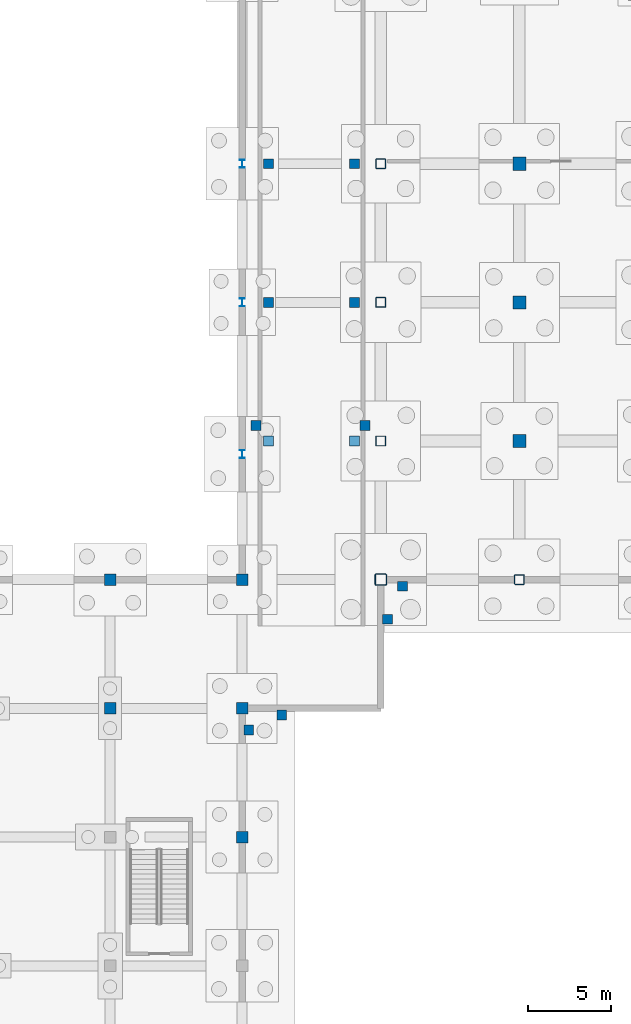
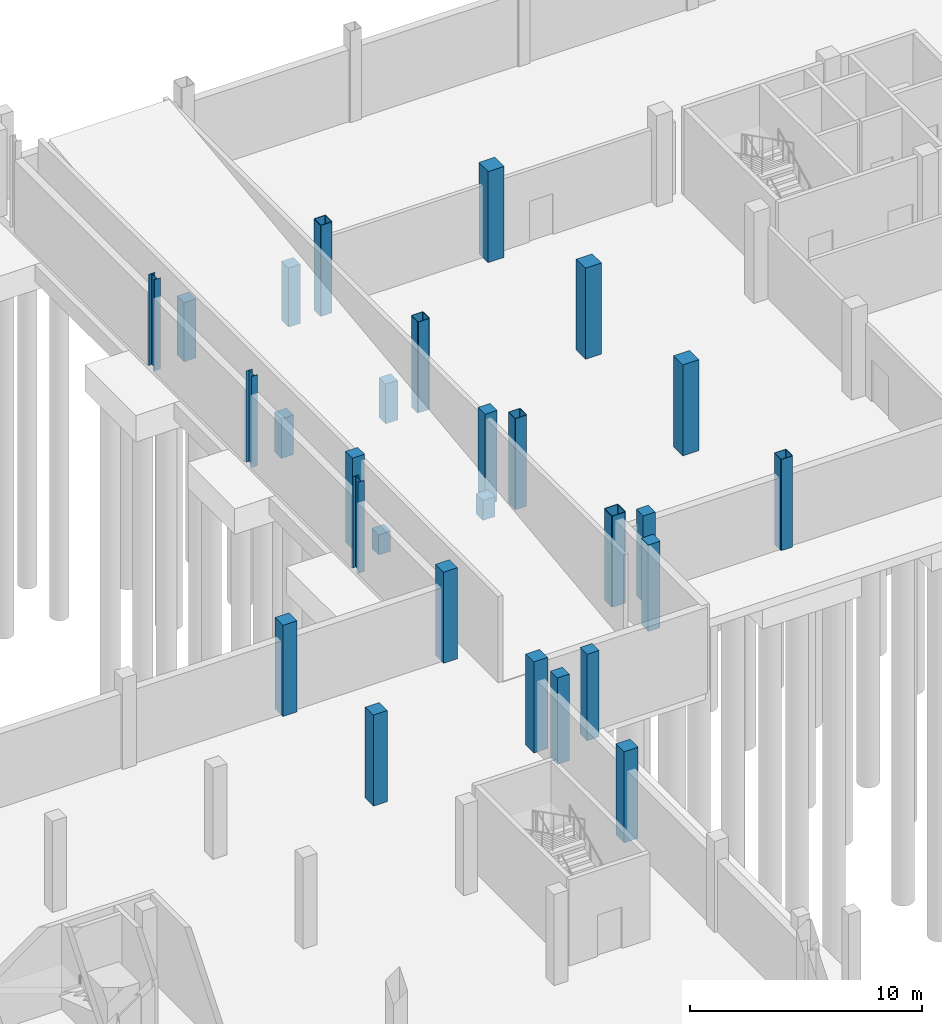
# One storey, part 26 of 44: 28 columns.
"""IFC4 building model written with IfcOpenShell, lengths in metres."""

from ifc_helpers import new_model, si_unit, direction, frame, origin, origin_2d, place, context, subcontext, project, spatial, rectangle, hollow_rectangle, i_section, extrude, material, material_profile, profile_set, type_object, element, save


model = new_model("IFC4")

# Units and contexts
model_context = context("Model", 3, precision=1e-05, world=origin(), true_north=direction((0.0, 1.0)))
body_context = subcontext(model_context, "Body", "Model", "MODEL_VIEW")
ifc_project = project(units=[si_unit("LENGTHUNIT", "METRE"), si_unit("AREAUNIT", "SQUARE_METRE"), si_unit("VOLUMEUNIT", "CUBIC_METRE"), si_unit("PLANEANGLEUNIT", "RADIAN"), si_unit("MASSUNIT", "GRAM", prefix="KILO")], contexts=[model_context])

# Site, building, storey
site_placement = place(None, origin())
site = spatial("IfcSite", under=ifc_project, at=site_placement, CompositionType="ELEMENT")
building_placement = place(site_placement, origin())
building = spatial("IfcBuilding", under=site, at=building_placement, Name="Yukiwa Park Conservatory and Herbarium", CompositionType="ELEMENT")
storey_placement = place(building_placement, frame((0.0, 0.0, -4.800048828125)))
storey = spatial("IfcBuildingStorey", under=building, at=storey_placement, Name="B1", CompositionType="ELEMENT", Elevation=-4.800048828125)

# Columns
ifc_material_1 = material(Name="Concrete C40", Category="concrete")
ifc_material_profile_1 = material_profile(ifc_material_1, rectangle(XDim=0.60009765625, YDim=0.60009765625, at=origin_2d()), Name="RC 600x600")
ifc_profile_set_1 = profile_set([ifc_material_profile_1], Name="Concrete C40")
column_type_1 = type_object("IfcColumnType", Name="COL-B1-RC600", PredefinedType="COLUMN", material=ifc_profile_set_1)
for number, where, z_axis, x_axis, name in (
    (1, (108.85009765625, 87.35009765625, 0.0), (0.0, 0.0, 1.0), (1.0, 0.0, 0.0), "Basement service ramp south portal pier 3"),
    (2, (115.449951171875, 87.35009765625, 0.0), (0.0, 0.0, 1.0), (1.0, 0.0, 0.0), "Basement service ramp south portal pier 4"),
):
    element("IfcColumn", number, at=place(storey_placement, frame(where, z_axis=z_axis, x_axis=x_axis)), inside=storey, type_object=column_type_1, Name=name, PredefinedType="COLUMN", context=body_context, shape_type="SweptSolid", body=[
        extrude(rectangle(XDim=0.60009765625, YDim=0.60009765625, at=origin_2d()), origin(), (0.0, 0.0, 1.0), 4.800048828125),
    ])
for number, where, z_axis, x_axis, name in (
    (3, (110.39990234375, 69.800048828125, 0.0), (0.0, 0.0, 1.0), (1.0, 0.0, 0.0), "Exterior frost apron pier 35"),
    (4, (108.39990234375, 68.89599609375, 0.0), (0.0, 0.0, 1.0), (1.0, 0.0, 0.0), "Exterior frost apron pier 36"),
    (5, (116.800048828125, 75.60009765625, 0.0), (0.0, 0.0, 1.0), (1.0, 0.0, 0.0), "Exterior frost apron pier 37"),
    (6, (117.70703125, 77.60009765625, 0.0), (0.0, 0.0, 1.0), (1.0, 0.0, 0.0), "Exterior frost apron pier 40"),
):
    element("IfcColumn", number, at=place(storey_placement, frame(where, z_axis=z_axis, x_axis=x_axis)), inside=storey, type_object=column_type_1, Name=name, PredefinedType="COLUMN", context=body_context, shape_type="SweptSolid", body=[
        extrude(rectangle(XDim=0.60009765625, YDim=0.60009765625, at=origin_2d()), origin(), (0.0, 0.0, 1.0), 4.56005859375),
    ])
for number, where, z_axis, x_axis, name in (
    (7, (109.60009765625, 86.39990234375, 0.0), (0.0, 0.0, 1.0), (1.0, 0.0, 0.0), "Service ramp R1 support pier 1W"),
    (8, (114.800048828125, 86.39990234375, 0.0), (0.0, 0.0, 1.0), (1.0, 0.0, 0.0), "Service ramp R1 support pier 1E"),
):
    element("IfcColumn", number, at=place(storey_placement, frame(where, z_axis=z_axis, x_axis=x_axis)), inside=storey, type_object=column_type_1, Name=name, PredefinedType="COLUMN", context=body_context, shape_type="SweptSolid", body=[
        extrude(rectangle(XDim=0.60009765625, YDim=0.60009765625, at=origin_2d()), origin(), (0.0, 0.0, 1.0), 1.0615234375),
    ])
for number, where, z_axis, x_axis, name in (
    (9, (109.60009765625, 94.800048828125, 0.0), (0.0, 0.0, 1.0), (1.0, 0.0, 0.0), "Service ramp R1 support pier 2W"),
    (10, (114.800048828125, 94.800048828125, 0.0), (0.0, 0.0, 1.0), (1.0, 0.0, 0.0), "Service ramp R1 support pier 2E"),
):
    element("IfcColumn", number, at=place(storey_placement, frame(where, z_axis=z_axis, x_axis=x_axis)), inside=storey, type_object=column_type_1, Name=name, PredefinedType="COLUMN", context=body_context, shape_type="SweptSolid", body=[
        extrude(rectangle(XDim=0.60009765625, YDim=0.60009765625, at=origin_2d()), origin(), (0.0, 0.0, 1.0), 2.090087890625),
    ])
for number, where, z_axis, x_axis, name in (
    (11, (109.60009765625, 103.199951171875, 0.0), (0.0, 0.0, 1.0), (1.0, 0.0, 0.0), "Service ramp R1 support pier 3W"),
    (12, (114.800048828125, 103.199951171875, 0.0), (0.0, 0.0, 1.0), (1.0, 0.0, 0.0), "Service ramp R1 support pier 3E"),
):
    element("IfcColumn", number, at=place(storey_placement, frame(where, z_axis=z_axis, x_axis=x_axis)), inside=storey, type_object=column_type_1, Name=name, PredefinedType="COLUMN", context=body_context, shape_type="SweptSolid", body=[
        extrude(rectangle(XDim=0.60009765625, YDim=0.60009765625, at=origin_2d()), origin(), (0.0, 0.0, 1.0), 3.11865234375),
    ])
ifc_material_2 = material(Name="Concrete C50", Category="concrete")
ifc_material_profile_2 = material_profile(ifc_material_2, rectangle(XDim=0.699951171875, YDim=0.699951171875, at=origin_2d()), Name="RC 700x700")
ifc_profile_set_2 = profile_set([ifc_material_profile_2], Name="Concrete C50")
column_type_2 = type_object("IfcColumnType", Name="COL-B1-RC700", PredefinedType="COLUMN", material=ifc_profile_set_2)
for number, where, z_axis, x_axis, name in (
    (13, (100.0, 70.199951171875, 0.0), (0.0, 0.0, 1.0), (1.0, 0.0, 0.0), "B1 column V3-X1000-Y702"),
    (14, (100.0, 78.0, 0.0), (0.0, 0.0, 1.0), (1.0, 0.0, 0.0), "B1 column V3-X1000-Y780"),
    (15, (108.0, 62.39990234375, 0.0), (0.0, 0.0, 1.0), (1.0, 0.0, 0.0), "B1 column V3-X1080-Y624"),
    (16, (108.0, 70.199951171875, 0.0), (0.0, 0.0, 1.0), (1.0, 0.0, 0.0), "B1 column V3-X1080-Y702"),
    (17, (108.0, 78.0, 0.0), (0.0, 0.0, 1.0), (1.0, 0.0, 0.0), "B1 column V3-X1080-Y780"),
):
    element("IfcColumn", number, at=place(storey_placement, frame(where, z_axis=z_axis, x_axis=x_axis)), inside=storey, type_object=column_type_2, Name=name, PredefinedType="COLUMN", context=body_context, shape_type="SweptSolid", body=[
        extrude(rectangle(XDim=0.699951171875, YDim=0.699951171875, at=origin_2d()), origin(), (0.0, 0.0, 1.0), 4.800048828125),
    ])
ifc_material_3 = material(Name="Concrete C50", Category="concrete")
ifc_material_profile_3 = material_profile(ifc_material_3, rectangle(XDim=0.800048828125, YDim=0.800048828125, at=origin_2d()), Name="RC 800x800")
ifc_profile_set_3 = profile_set([ifc_material_profile_3], Name="Concrete C50")
column_type_3 = type_object("IfcColumnType", Name="COL-B1-RC800", PredefinedType="COLUMN", material=ifc_profile_set_3)
for number, where, z_axis, x_axis, name in (
    (18, (124.800048828125, 86.39990234375, 0.0), (0.0, 0.0, 1.0), (1.0, 0.0, 0.0), "B1 column V5-X1248-Y864"),
    (19, (124.800048828125, 94.800048828125, 0.0), (0.0, 0.0, 1.0), (1.0, 0.0, 0.0), "B1 column V5-X1248-Y948"),
    (20, (124.800048828125, 103.199951171875, 0.0), (0.0, 0.0, 1.0), (1.0, 0.0, 0.0), "B1 column V5-X1248-Y1032"),
):
    element("IfcColumn", number, at=place(storey_placement, frame(where, z_axis=z_axis, x_axis=x_axis)), inside=storey, type_object=column_type_3, Name=name, PredefinedType="COLUMN", context=body_context, shape_type="SweptSolid", body=[
        extrude(rectangle(XDim=0.800048828125, YDim=0.800048828125, at=origin_2d()), origin(), (0.0, 0.0, 1.0), 4.800048828125),
    ])
ifc_material_4 = material(Name="Steel Q355D", Category="steel")
ifc_material_profile_4 = material_profile(ifc_material_4, hollow_rectangle(XDim=0.60009765625, YDim=0.60009765625, WallThickness=0.02490234375, InnerFilletRadius=0.02490234375, OuterFilletRadius=0.050048828125, at=origin_2d()), Name="BOX 600x600x25")
ifc_profile_set_4 = profile_set([ifc_material_profile_4], Name="Steel Q355D")
column_type_4 = type_object("IfcColumnType", Name="COL-TW-BOX600", PredefinedType="COLUMN", material=ifc_profile_set_4)
for number, where, z_axis, x_axis, name in (
    (21, (116.39990234375, 86.39990234375, 0.0), (0.0, 0.0, 1.0), (1.0, 0.0, 0.0), "B1 column V5-X1164-Y864"),
    (22, (116.39990234375, 94.800048828125, 0.0), (0.0, 0.0, 1.0), (1.0, 0.0, 0.0), "B1 column V5-X1164-Y948"),
    (23, (116.39990234375, 103.199951171875, 0.0), (0.0, 0.0, 1.0), (1.0, 0.0, 0.0), "B1 column V5-X1164-Y1032"),
    (24, (124.800048828125, 78.0, 0.0), (0.0, 0.0, 1.0), (1.0, 0.0, 0.0), "B1 column V5-X1248-Y780"),
):
    element("IfcColumn", number, at=place(storey_placement, frame(where, z_axis=z_axis, x_axis=x_axis)), inside=storey, type_object=column_type_4, Name=name, PredefinedType="COLUMN", context=body_context, shape_type="SweptSolid", body=[
        extrude(hollow_rectangle(XDim=0.60009765625, YDim=0.60009765625, WallThickness=0.02490234375, InnerFilletRadius=0.02490234375, OuterFilletRadius=0.050048828125, at=origin_2d()), origin(), (0.0, 0.0, 1.0), 4.800048828125),
    ])
ifc_material_5 = material(Name="Steel Q355D", Category="steel")
ifc_material_profile_5 = material_profile(ifc_material_5, hollow_rectangle(XDim=0.699951171875, YDim=0.699951171875, WallThickness=0.031982421875, InnerFilletRadius=0.031982421875, OuterFilletRadius=0.06396484375, at=origin_2d()), Name="BOX 700x700x32")
ifc_profile_set_5 = profile_set([ifc_material_profile_5], Name="Steel Q355D")
column_type_5 = type_object("IfcColumnType", Name="COL-TW-BOX700", PredefinedType="COLUMN", material=ifc_profile_set_5)
column_placement = place(storey_placement, frame((116.39990234375, 78.0, 0.0), z_axis=(0.0, 0.0, 1.0), x_axis=(1.0, 0.0, 0.0)))
element("IfcColumn", 25, at=column_placement, inside=storey, type_object=column_type_5, Name="B1 column V5-X1164-Y780", PredefinedType="COLUMN", context=body_context, shape_type="SweptSolid", body=[
    extrude(hollow_rectangle(XDim=0.699951171875, YDim=0.699951171875, WallThickness=0.031982421875, InnerFilletRadius=0.031982421875, OuterFilletRadius=0.06396484375, at=origin_2d()), origin(), (0.0, 0.0, 1.0), 4.800048828125),
])
ifc_material_6 = material(Name="Steel Q355D", Category="steel")
ifc_material_profile_6 = material_profile(ifc_material_6, i_section(OverallWidth=0.300048828125, OverallDepth=0.488037109375, WebThickness=0.010986328125, FlangeThickness=0.01806640625, FilletRadius=0.02392578125, at=origin_2d()), Name="HM 488x300x11x18")
ifc_profile_set_6 = profile_set([ifc_material_profile_6], Name="Steel Q355D")
column_type_6 = type_object("IfcColumnType", Name="COL-VS-HM488", PredefinedType="COLUMN", material=ifc_profile_set_6)
for number, where, z_axis, x_axis, name in (
    (26, (108.0, 85.60009765625, 0.0), (0.0, 0.0, 1.0), (1.0, 0.0, 0.0), "B1 column LNK-X1080-Y856"),
    (27, (108.0, 94.800048828125, 0.0), (0.0, 0.0, 1.0), (1.0, 0.0, 0.0), "B1 column RMP-X1080-Y948"),
    (28, (108.0, 103.199951171875, 0.0), (0.0, 0.0, 1.0), (1.0, 0.0, 0.0), "B1 column RMP-X1080-Y1032"),
):
    element("IfcColumn", number, at=place(storey_placement, frame(where, z_axis=z_axis, x_axis=x_axis)), inside=storey, type_object=column_type_6, Name=name, PredefinedType="COLUMN", context=body_context, shape_type="SweptSolid", body=[
        extrude(i_section(OverallWidth=0.300048828125, OverallDepth=0.488037109375, WebThickness=0.010986328125, FlangeThickness=0.01806640625, FilletRadius=0.02392578125, at=origin_2d()), origin(), (0.0, 0.0, 1.0), 4.800048828125),
    ])

save(model, "model.ifc")
